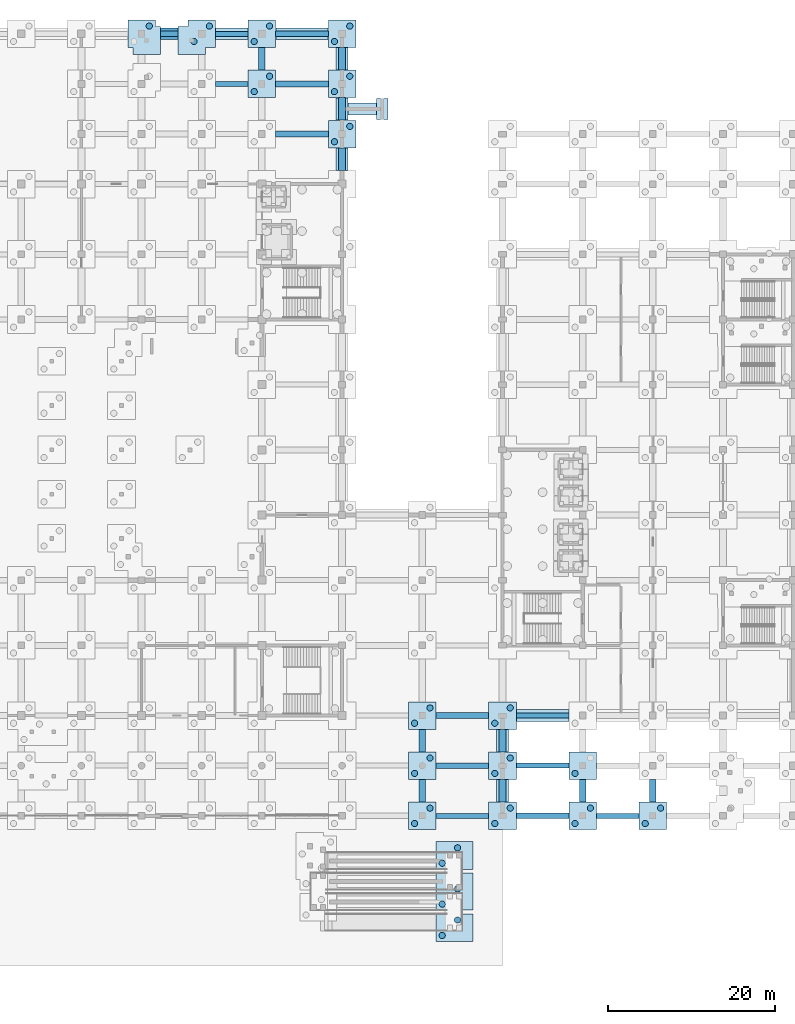
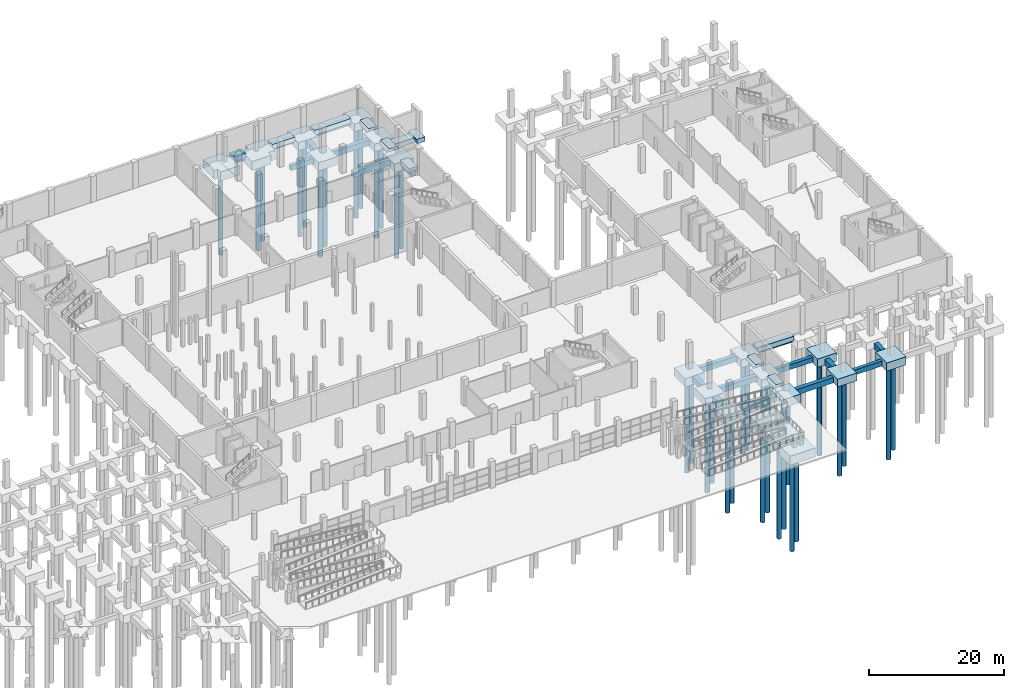
# One storey, part 11 of 42: 53 footings, 36 piles.
"""IFC4 building model written with IfcOpenShell, lengths in metres."""

from ifc_helpers import new_model, si_unit, direction, frame, origin, origin_2d, place, context, subcontext, project, spatial, polyline, rectangle, circle, outline, extrude, material, layer, layer_set, material_profile, profile_set, type_object, element, save


model = new_model("IFC4")

# Units and contexts
model_context = context("Model", 3, precision=1e-05, world=origin(), true_north=direction((0.0, 1.0)))
body_context = subcontext(model_context, "Body", "Model", "MODEL_VIEW")
ifc_project = project(units=[si_unit("LENGTHUNIT", "METRE"), si_unit("AREAUNIT", "SQUARE_METRE"), si_unit("VOLUMEUNIT", "CUBIC_METRE"), si_unit("PLANEANGLEUNIT", "RADIAN"), si_unit("MASSUNIT", "GRAM", prefix="KILO")], contexts=[model_context])

# Site, building, storey
site_placement = place(None, origin())
site = spatial("IfcSite", under=ifc_project, at=site_placement, CompositionType="ELEMENT")
building_placement = place(site_placement, origin())
building = spatial("IfcBuilding", under=site, at=building_placement, Name="Pellamere Symphony Hall", CompositionType="ELEMENT")
storey_placement = place(building_placement, frame((0.0, 0.0, -4.800048828125)))
storey = spatial("IfcBuildingStorey", under=building, at=storey_placement, Name="B1", CompositionType="ELEMENT", Elevation=-4.800048828125)

# Piles
ifc_material_1 = material(Name="Concrete 35 MPa", Category="concrete")
ifc_material_profile_1 = material_profile(ifc_material_1, circle(Radius=0.375, at=origin_2d()), Name="PILE D750")
ifc_profile_set_1 = profile_set([ifc_material_profile_1], Name="Concrete 35 MPa")
pile_type = type_object("IfcPileType", Name="Bored Pile 750mm Concrete 35 MPa", PredefinedType="BORED", material=ifc_profile_set_1)
for number, where, z_axis, x_axis, name in (
    (1, (130.780029296875, 3.679931640625, -1.800048828125), (0.0, 0.0, -1.0), (1.0, 0.0, 0.0), "Bored Pile BP-750-P019"),
    (2, (132.6201171875, 5.52001953125, -1.800048828125), (0.0, 0.0, -1.0), (1.0, 0.0, 0.0), "Bored Pile BP-750-P020"),
    (3, (130.780029296875, 7.429931640625, -1.800048828125), (0.0, 0.0, -1.0), (1.0, 0.0, 0.0), "Bored Pile BP-750-P027"),
    (4, (132.6201171875, 9.27001953125, -1.800048828125), (0.0, 0.0, -1.0), (1.0, 0.0, 0.0), "Bored Pile BP-750-P028"),
    (5, (130.780029296875, 12.330078125, -1.800048828125), (0.0, 0.0, -1.0), (1.0, 0.0, 0.0), "Bored Pile BP-750-P049"),
    (6, (132.6201171875, 14.169921875, -1.800048828125), (0.0, 0.0, -1.0), (1.0, 0.0, 0.0), "Bored Pile BP-750-P050"),
):
    element("IfcPile", number, at=place(storey_placement, frame(where, z_axis=z_axis, x_axis=x_axis)), inside=storey, type_object=pile_type, Name=name, PredefinedType="BORED", context=body_context, shape_type="SweptSolid", body=[
        extrude(circle(Radius=0.375, at=origin_2d()), origin(), (0.0, 0.0, 1.0), 16.199951171875),
    ])
for number, where, z_axis, x_axis, name in (
    (7, (127.47998046875, 17.080078125, -1.75), (0.0, 0.0, -1.0), (1.0, 0.0, 0.0), "Bored Pile BP-750-P083"),
    (8, (129.320068359375, 18.919921875, -1.75), (0.0, 0.0, -1.0), (1.0, 0.0, 0.0), "Bored Pile BP-750-P084"),
):
    element("IfcPile", number, at=place(storey_placement, frame(where, z_axis=z_axis, x_axis=x_axis)), inside=storey, type_object=pile_type, Name=name, PredefinedType="BORED", context=body_context, shape_type="SweptSolid", body=[
        extrude(circle(Radius=0.375, at=origin_2d()), origin(), (0.0, 0.0, 1.0), 16.25),
    ])
for number, where, z_axis, x_axis, name in (
    (9, (137.080078125, 17.080078125, -1.849853515625), (0.0, 0.0, -1.0), (1.0, 0.0, 0.0), "Bored Pile BP-750-P085"),
    (10, (138.919921875, 18.919921875, -1.849853515625), (0.0, 0.0, -1.0), (1.0, 0.0, 0.0), "Bored Pile BP-750-P086"),
):
    element("IfcPile", number, at=place(storey_placement, frame(where, z_axis=z_axis, x_axis=x_axis)), inside=storey, type_object=pile_type, Name=name, PredefinedType="BORED", context=body_context, shape_type="SweptSolid", body=[
        extrude(circle(Radius=0.375, at=origin_2d()), origin(), (0.0, 0.0, 1.0), 16.14990234375),
    ])
for number, where, z_axis, x_axis, name in (
    (11, (146.679931640625, 17.080078125, -1.300048828125), (0.0, 0.0, -1.0), (1.0, 0.0, 0.0), "Bored Pile BP-750-P087"),
    (12, (148.52001953125, 18.919921875, -1.300048828125), (0.0, 0.0, -1.0), (1.0, 0.0, 0.0), "Bored Pile BP-750-P088"),
):
    element("IfcPile", number, at=place(storey_placement, frame(where, z_axis=z_axis, x_axis=x_axis)), inside=storey, type_object=pile_type, Name=name, PredefinedType="BORED", context=body_context, shape_type="SweptSolid", body=[
        extrude(circle(Radius=0.375, at=origin_2d()), origin(), (0.0, 0.0, 1.0), 16.699951171875),
    ])
for number, where, z_axis, x_axis, name in (
    (13, (155.080078125, 17.080078125, -1.39990234375), (0.0, 0.0, -1.0), (1.0, 0.0, 0.0), "Bored Pile BP-750-P089"),
    (14, (156.919921875, 18.919921875, -1.39990234375), (0.0, 0.0, -1.0), (1.0, 0.0, 0.0), "Bored Pile BP-750-P090"),
):
    element("IfcPile", number, at=place(storey_placement, frame(where, z_axis=z_axis, x_axis=x_axis)), inside=storey, type_object=pile_type, Name=name, PredefinedType="BORED", context=body_context, shape_type="SweptSolid", body=[
        extrude(circle(Radius=0.375, at=origin_2d()), origin(), (0.0, 0.0, 1.0), 16.60009765625),
    ])
for number, where, z_axis, x_axis, name in (
    (15, (127.47998046875, 23.080078125, -1.849853515625), (0.0, 0.0, -1.0), (1.0, 0.0, 0.0), "Bored Pile BP-750-P131"),
    (16, (129.320068359375, 24.919921875, -1.849853515625), (0.0, 0.0, -1.0), (1.0, 0.0, 0.0), "Bored Pile BP-750-P132"),
):
    element("IfcPile", number, at=place(storey_placement, frame(where, z_axis=z_axis, x_axis=x_axis)), inside=storey, type_object=pile_type, Name=name, PredefinedType="BORED", context=body_context, shape_type="SweptSolid", body=[
        extrude(circle(Radius=0.375, at=origin_2d()), origin(), (0.0, 0.0, 1.0), 16.14990234375),
    ])
for number, where, z_axis, x_axis, name in (
    (17, (137.080078125, 23.080078125, -1.75), (0.0, 0.0, -1.0), (1.0, 0.0, 0.0), "Bored Pile BP-750-P133"),
    (18, (138.919921875, 24.919921875, -1.75), (0.0, 0.0, -1.0), (1.0, 0.0, 0.0), "Bored Pile BP-750-P134"),
):
    element("IfcPile", number, at=place(storey_placement, frame(where, z_axis=z_axis, x_axis=x_axis)), inside=storey, type_object=pile_type, Name=name, PredefinedType="BORED", context=body_context, shape_type="SweptSolid", body=[
        extrude(circle(Radius=0.375, at=origin_2d()), origin(), (0.0, 0.0, 1.0), 16.25),
    ])
pile_placement = place(storey_placement, frame((146.679931640625, 23.080078125, -1.39990234375), z_axis=(0.0, 0.0, -1.0), x_axis=(1.0, 0.0, 0.0)))
element("IfcPile", 19, at=pile_placement, inside=storey, type_object=pile_type, Name="Bored Pile BP-750-P135", PredefinedType="BORED", context=body_context, shape_type="SweptSolid", body=[
    extrude(circle(Radius=0.375, at=origin_2d()), origin(), (0.0, 0.0, 1.0), 16.60009765625),
])
for number, where, z_axis, x_axis, name in (
    (20, (127.47998046875, 29.080078125, -1.849853515625), (0.0, 0.0, -1.0), (1.0, 0.0, 0.0), "Bored Pile BP-750-P194"),
    (21, (129.320068359375, 30.919921875, -1.849853515625), (0.0, 0.0, -1.0), (1.0, 0.0, 0.0), "Bored Pile BP-750-P195"),
):
    element("IfcPile", number, at=place(storey_placement, frame(where, z_axis=z_axis, x_axis=x_axis)), inside=storey, type_object=pile_type, Name=name, PredefinedType="BORED", context=body_context, shape_type="SweptSolid", body=[
        extrude(circle(Radius=0.375, at=origin_2d()), origin(), (0.0, 0.0, 1.0), 16.14990234375),
    ])
for number, where, z_axis, x_axis, name in (
    (22, (137.080078125, 29.080078125, -1.75), (0.0, 0.0, -1.0), (1.0, 0.0, 0.0), "Bored Pile BP-750-P196"),
    (23, (138.919921875, 30.919921875, -1.75), (0.0, 0.0, -1.0), (1.0, 0.0, 0.0), "Bored Pile BP-750-P197"),
):
    element("IfcPile", number, at=place(storey_placement, frame(where, z_axis=z_axis, x_axis=x_axis)), inside=storey, type_object=pile_type, Name=name, PredefinedType="BORED", context=body_context, shape_type="SweptSolid", body=[
        extrude(circle(Radius=0.375, at=origin_2d()), origin(), (0.0, 0.0, 1.0), 16.25),
    ])
for number, where, z_axis, x_axis, name in (
    (24, (117.8798828125, 98.679931640625, -1.849853515625), (0.0, 0.0, -1.0), (1.0, 0.0, 0.0), "Bored Pile BP-750-P534"),
    (25, (119.719970703125, 100.52001953125, -1.849853515625), (0.0, 0.0, -1.0), (1.0, 0.0, 0.0), "Bored Pile BP-750-P535"),
    (26, (108.280029296875, 104.679931640625, -1.849853515625), (0.0, 0.0, -1.0), (1.0, 0.0, 0.0), "Bored Pile BP-750-P558"),
    (27, (110.1201171875, 106.52001953125, -1.849853515625), (0.0, 0.0, -1.0), (1.0, 0.0, 0.0), "Bored Pile BP-750-P559"),
):
    element("IfcPile", number, at=place(storey_placement, frame(where, z_axis=z_axis, x_axis=x_axis)), inside=storey, type_object=pile_type, Name=name, PredefinedType="BORED", context=body_context, shape_type="SweptSolid", body=[
        extrude(circle(Radius=0.375, at=origin_2d()), origin(), (0.0, 0.0, 1.0), 16.14990234375),
    ])
for number, where, z_axis, x_axis, name in (
    (28, (117.8798828125, 104.679931640625, -1.75), (0.0, 0.0, -1.0), (1.0, 0.0, 0.0), "Bored Pile BP-750-P560"),
    (29, (119.719970703125, 106.52001953125, -1.75), (0.0, 0.0, -1.0), (1.0, 0.0, 0.0), "Bored Pile BP-750-P561"),
):
    element("IfcPile", number, at=place(storey_placement, frame(where, z_axis=z_axis, x_axis=x_axis)), inside=storey, type_object=pile_type, Name=name, PredefinedType="BORED", context=body_context, shape_type="SweptSolid", body=[
        extrude(circle(Radius=0.375, at=origin_2d()), origin(), (0.0, 0.0, 1.0), 16.25),
    ])
for number, where, z_axis, x_axis, name in (
    (30, (95.719970703125, 112.52001953125, -2.0), (0.0, 0.0, -1.0), (1.0, 0.0, 0.0), "Bored Pile BP-750-P563"),
    (31, (101.080078125, 110.679931640625, -2.0), (0.0, 0.0, -1.0), (1.0, 0.0, 0.0), "Bored Pile BP-750-P564"),
    (32, (102.919921875, 112.52001953125, -2.0), (0.0, 0.0, -1.0), (1.0, 0.0, 0.0), "Bored Pile BP-750-P565"),
):
    element("IfcPile", number, at=place(storey_placement, frame(where, z_axis=z_axis, x_axis=x_axis)), inside=storey, type_object=pile_type, Name=name, PredefinedType="BORED", context=body_context, shape_type="SweptSolid", body=[
        extrude(circle(Radius=0.375, at=origin_2d()), origin(), (0.0, 0.0, 1.0), 16.0),
    ])
for number, where, z_axis, x_axis, name in (
    (33, (108.280029296875, 110.679931640625, -1.849853515625), (0.0, 0.0, -1.0), (1.0, 0.0, 0.0), "Bored Pile BP-750-P574"),
    (34, (110.1201171875, 112.52001953125, -1.849853515625), (0.0, 0.0, -1.0), (1.0, 0.0, 0.0), "Bored Pile BP-750-P575"),
):
    element("IfcPile", number, at=place(storey_placement, frame(where, z_axis=z_axis, x_axis=x_axis)), inside=storey, type_object=pile_type, Name=name, PredefinedType="BORED", context=body_context, shape_type="SweptSolid", body=[
        extrude(circle(Radius=0.375, at=origin_2d()), origin(), (0.0, 0.0, 1.0), 16.14990234375),
    ])
for number, where, z_axis, x_axis, name in (
    (35, (117.8798828125, 110.679931640625, -1.75), (0.0, 0.0, -1.0), (1.0, 0.0, 0.0), "Bored Pile BP-750-P576"),
    (36, (119.719970703125, 112.52001953125, -1.75), (0.0, 0.0, -1.0), (1.0, 0.0, 0.0), "Bored Pile BP-750-P577"),
):
    element("IfcPile", number, at=place(storey_placement, frame(where, z_axis=z_axis, x_axis=x_axis)), inside=storey, type_object=pile_type, Name=name, PredefinedType="BORED", context=body_context, shape_type="SweptSolid", body=[
        extrude(circle(Radius=0.375, at=origin_2d()), origin(), (0.0, 0.0, 1.0), 16.25),
    ])

# Footings
ifc_material_2 = material(Name="Concrete 40 MPa", Category="concrete")
ifc_material_profile_2 = material_profile(ifc_material_2, rectangle(XDim=0.60009765625, YDim=0.89990234375, at=origin_2d()), Name="RC 600x900")
ifc_profile_set_2 = profile_set([ifc_material_profile_2], Name="Concrete 40 MPa")
footing_type_1 = type_object("IfcFootingType", Name="Foundation FB-01 600x900", PredefinedType="FOOTING_BEAM", material=ifc_profile_set_2)
footing_1_placement = place(storey_placement, frame((130.052001953125, 18.0, -0.89990234375), z_axis=(1.0, 0.0, 0.0), x_axis=(0.0, 1.0, 0.0)))
element("IfcFooting", 37, at=footing_1_placement, inside=storey, type_object=footing_type_1, Name="Foundation Beam FB-01-082", PredefinedType="FOOTING_BEAM", context=body_context, shape_type="SweptSolid", body=[
    extrude(rectangle(XDim=0.60009765625, YDim=0.89990234375, at=origin_2d()), origin(), (0.0, 0.0, 1.0), 6.2958984375),
])
footing_2_placement = place(storey_placement, frame((149.251953125, 18.0, -0.89990234375), z_axis=(1.0, 0.0, 0.0), x_axis=(0.0, 1.0, 0.0)))
element("IfcFooting", 38, at=footing_2_placement, inside=storey, type_object=footing_type_1, Name="Foundation Beam FB-01-084", PredefinedType="FOOTING_BEAM", context=body_context, shape_type="SweptSolid", body=[
    extrude(rectangle(XDim=0.60009765625, YDim=0.89990234375, at=origin_2d()), origin(), (0.0, 0.0, 1.0), 5.095947265625),
])
for number, where, z_axis, x_axis, name in (
    (39, (139.652099609375, 24.0, -0.89990234375), (1.0, 0.0, 0.0), (0.0, 1.0, 0.0), "Foundation Beam FB-01-100"),
    (40, (139.652099609375, 30.0, -0.89990234375), (1.0, 0.0, 0.0), (0.0, 1.0, 0.0), "Foundation Beam FB-01-116"),
):
    element("IfcFooting", number, at=place(storey_placement, frame(where, z_axis=z_axis, x_axis=x_axis)), inside=storey, type_object=footing_type_1, Name=name, PredefinedType="FOOTING_BEAM", context=body_context, shape_type="SweptSolid", body=[
        extrude(rectangle(XDim=0.60009765625, YDim=0.89990234375, at=origin_2d()), origin(), (0.0, 0.0, 1.0), 6.2958984375),
    ])
for number, where, z_axis, x_axis, name in (
    (41, (103.652099609375, 105.60009765625, -0.89990234375), (1.0, 0.0, 0.0), (0.0, 1.0, 0.0), "Foundation Beam FB-01-220"),
    (42, (103.652099609375, 111.60009765625, -0.89990234375), (1.0, 0.0, 0.0), (0.0, 1.0, 0.0), "Foundation Beam FB-01-228"),
):
    element("IfcFooting", number, at=place(storey_placement, frame(where, z_axis=z_axis, x_axis=x_axis)), inside=storey, type_object=footing_type_1, Name=name, PredefinedType="FOOTING_BEAM", context=body_context, shape_type="SweptSolid", body=[
        extrude(rectangle(XDim=0.60009765625, YDim=0.89990234375, at=origin_2d()), origin(), (0.0, 0.0, 1.0), 3.89599609375),
    ])
ifc_material_profile_3 = material_profile(ifc_material_2, rectangle(XDim=0.699951171875, YDim=1.0, at=origin_2d()), Name="RC 700x1000")
ifc_profile_set_3 = profile_set([ifc_material_profile_3], Name="Concrete 40 MPa")
footing_type_2 = type_object("IfcFootingType", Name="Foundation FB-02 700x1000", PredefinedType="FOOTING_BEAM", material=ifc_profile_set_3)
for number, where, z_axis, x_axis, name in (
    (43, (139.652099609375, 18.0, -0.949951171875), (1.0, 0.0, 0.0), (0.0, 1.0, 0.0), "Foundation Beam FB-02-083"),
    (44, (130.052001953125, 24.0, -0.949951171875), (1.0, 0.0, 0.0), (0.0, 1.0, 0.0), "Foundation Beam FB-02-099"),
    (45, (130.052001953125, 30.0, -0.949951171875), (1.0, 0.0, 0.0), (0.0, 1.0, 0.0), "Foundation Beam FB-02-115"),
    (46, (110.85205078125, 99.60009765625, -0.949951171875), (1.0, 0.0, 0.0), (0.0, 1.0, 0.0), "Foundation Beam FB-02-213"),
    (47, (110.85205078125, 105.60009765625, -0.949951171875), (1.0, 0.0, 0.0), (0.0, 1.0, 0.0), "Foundation Beam FB-02-221"),
):
    element("IfcFooting", number, at=place(storey_placement, frame(where, z_axis=z_axis, x_axis=x_axis)), inside=storey, type_object=footing_type_2, Name=name, PredefinedType="FOOTING_BEAM", context=body_context, shape_type="SweptSolid", body=[
        extrude(rectangle(XDim=0.699951171875, YDim=1.0, at=origin_2d()), origin(), (0.0, 0.0, 1.0), 6.2958984375),
    ])
footing_3_placement = place(storey_placement, frame((97.052001953125, 111.60009765625, -0.949951171875), z_axis=(1.0, 0.0, 0.0), x_axis=(0.0, 1.0, 0.0)))
element("IfcFooting", 48, at=footing_3_placement, inside=storey, type_object=footing_type_2, Name="Foundation Beam FB-02-227", PredefinedType="FOOTING_BEAM", context=body_context, shape_type="SweptSolid", body=[
    extrude(rectangle(XDim=0.699951171875, YDim=1.0, at=origin_2d()), origin(), (0.0, 0.0, 1.0), 2.095947265625),
])
footing_4_placement = place(storey_placement, frame((110.85205078125, 111.60009765625, -0.949951171875), z_axis=(1.0, 0.0, 0.0), x_axis=(0.0, 1.0, 0.0)))
element("IfcFooting", 49, at=footing_4_placement, inside=storey, type_object=footing_type_2, Name="Foundation Beam FB-02-229", PredefinedType="FOOTING_BEAM", context=body_context, shape_type="SweptSolid", body=[
    extrude(rectangle(XDim=0.699951171875, YDim=1.0, at=origin_2d()), origin(), (0.0, 0.0, 1.0), 6.2958984375),
])
ifc_material_profile_4 = material_profile(ifc_material_2, rectangle(XDim=0.800048828125, YDim=1.10009765625, at=origin_2d()), Name="RC 800x1100")
ifc_profile_set_4 = profile_set([ifc_material_profile_4], Name="Concrete 40 MPa")
footing_type_3 = type_object("IfcFootingType", Name="Foundation FB-03 800x1100", PredefinedType="FOOTING_BEAM", material=ifc_profile_set_4)
for number, where, z_axis, x_axis, name in (
    (50, (109.199951171875, 107.251953125, -1.0), (0.0, 1.0, 0.0), (-1.0, 0.0, 0.0), "Foundation Beam FB-03-336"),
    (51, (118.800048828125, 95.251953125, -1.0), (0.0, 1.0, 0.0), (-1.0, 0.0, 0.0), "Foundation Beam FB-03-344"),
    (52, (118.800048828125, 101.251953125, -1.0), (0.0, 1.0, 0.0), (-1.0, 0.0, 0.0), "Foundation Beam FB-03-345"),
    (53, (118.800048828125, 107.251953125, -1.0), (0.0, 1.0, 0.0), (-1.0, 0.0, 0.0), "Foundation Beam FB-03-346"),
):
    element("IfcFooting", number, at=place(storey_placement, frame(where, z_axis=z_axis, x_axis=x_axis)), inside=storey, type_object=footing_type_3, Name=name, PredefinedType="FOOTING_BEAM", context=body_context, shape_type="SweptSolid", body=[
        extrude(rectangle(XDim=0.800048828125, YDim=1.10009765625, at=origin_2d()), origin(), (0.0, 0.0, 1.0), 2.696044921875),
    ])
for number, where, z_axis, x_axis, name in (
    (54, (128.39990234375, 19.652099609375, -1.0), (0.0, 1.0, 0.0), (-1.0, 0.0, 0.0), "Foundation Beam FB-03-347"),
    (55, (128.39990234375, 25.652099609375, -1.0), (0.0, 1.0, 0.0), (-1.0, 0.0, 0.0), "Foundation Beam FB-03-348"),
    (56, (138.0, 19.652099609375, -1.0), (0.0, 1.0, 0.0), (-1.0, 0.0, 0.0), "Foundation Beam FB-03-352"),
    (57, (138.0, 25.652099609375, -1.0), (0.0, 1.0, 0.0), (-1.0, 0.0, 0.0), "Foundation Beam FB-03-353"),
    (58, (147.60009765625, 19.652099609375, -1.0), (0.0, 1.0, 0.0), (-1.0, 0.0, 0.0), "Foundation Beam FB-03-360"),
    (59, (156.0, 19.652099609375, -1.0), (0.0, 1.0, 0.0), (-1.0, 0.0, 0.0), "Foundation Beam FB-03-368"),
):
    element("IfcFooting", number, at=place(storey_placement, frame(where, z_axis=z_axis, x_axis=x_axis)), inside=storey, type_object=footing_type_3, Name=name, PredefinedType="FOOTING_BEAM", context=body_context, shape_type="SweptSolid", body=[
        extrude(rectangle(XDim=0.800048828125, YDim=1.10009765625, at=origin_2d()), origin(), (0.0, 0.0, 1.0), 2.69580078125),
    ])
ifc_material_profile_5 = material_profile(ifc_material_2, rectangle(XDim=1.39990234375, YDim=0.85009765625, at=origin_2d()), Name="RC 1400x850")
ifc_profile_set_5 = profile_set([ifc_material_profile_5], Name="Concrete 40 MPa")
footing_type_4 = type_object("IfcFootingType", Name="Foundation SF-02 1400x850", PredefinedType="STRIP_FOOTING", material=ifc_profile_set_5)
footing_5_placement = place(storey_placement, frame((97.06494140625, 111.60009765625, -0.425048828125), z_axis=(1.0, 0.0, 0.0), x_axis=(0.0, 1.0, 0.0)))
element("IfcFooting", 60, at=footing_5_placement, inside=storey, type_object=footing_type_4, Name="Foundation Beam SF-02-015", PredefinedType="STRIP_FOOTING", context=body_context, shape_type="SweptSolid", body=[
    extrude(rectangle(XDim=1.39990234375, YDim=0.85009765625, at=origin_2d()), origin(), (0.0, 0.0, 1.0), 2.070068359375),
])
footing_6_placement = place(storey_placement, frame((103.6650390625, 111.60009765625, -0.425048828125), z_axis=(1.0, 0.0, 0.0), x_axis=(0.0, 1.0, 0.0)))
element("IfcFooting", 61, at=footing_6_placement, inside=storey, type_object=footing_type_4, Name="Foundation Beam SF-02-016", PredefinedType="STRIP_FOOTING", context=body_context, shape_type="SweptSolid", body=[
    extrude(rectangle(XDim=1.39990234375, YDim=0.85009765625, at=origin_2d()), origin(), (0.0, 0.0, 1.0), 3.869873046875),
])
footing_7_placement = place(storey_placement, frame((110.864990234375, 111.60009765625, -0.425048828125), z_axis=(1.0, 0.0, 0.0), x_axis=(0.0, 1.0, 0.0)))
element("IfcFooting", 62, at=footing_7_placement, inside=storey, type_object=footing_type_4, Name="Foundation Beam SF-02-017", PredefinedType="STRIP_FOOTING", context=body_context, shape_type="SweptSolid", body=[
    extrude(rectangle(XDim=1.39990234375, YDim=0.85009765625, at=origin_2d()), origin(), (0.0, 0.0, 1.0), 6.27001953125),
])
for number, where, z_axis, x_axis, name in (
    (63, (118.800048828125, 109.93505859375, -0.425048828125), (0.0, -1.0, 0.0), (1.0, 0.0, 0.0), "Foundation Beam SF-02-018"),
    (64, (118.800048828125, 103.93505859375, -0.425048828125), (0.0, -1.0, 0.0), (1.0, 0.0, 0.0), "Foundation Beam SF-02-019"),
    (65, (118.800048828125, 97.93505859375, -0.425048828125), (0.0, -1.0, 0.0), (1.0, 0.0, 0.0), "Foundation Beam SF-02-020"),
):
    element("IfcFooting", number, at=place(storey_placement, frame(where, z_axis=z_axis, x_axis=x_axis)), inside=storey, type_object=footing_type_4, Name=name, PredefinedType="STRIP_FOOTING", context=body_context, shape_type="SweptSolid", body=[
        extrude(rectangle(XDim=1.39990234375, YDim=0.85009765625, at=origin_2d()), origin(), (0.0, 0.0, 1.0), 2.670166015625),
    ])
footing_8_placement = place(storey_placement, frame((145.93505859375, 30.0, -0.425048828125), z_axis=(-1.0, 0.0, 0.0), x_axis=(0.0, -1.0, 0.0)))
element("IfcFooting", 66, at=footing_8_placement, inside=storey, type_object=footing_type_4, Name="Foundation Beam SF-02-039", PredefinedType="STRIP_FOOTING", context=body_context, shape_type="SweptSolid", body=[
    extrude(rectangle(XDim=1.39990234375, YDim=0.85009765625, at=origin_2d()), origin(), (0.0, 0.0, 1.0), 6.27001953125),
])
for number, where, z_axis, x_axis, name in (
    (67, (138.0, 28.3349609375, -0.425048828125), (0.0, -1.0, 0.0), (1.0, 0.0, 0.0), "Foundation Beam SF-02-040"),
    (68, (138.0, 22.3349609375, -0.425048828125), (0.0, -1.0, 0.0), (1.0, 0.0, 0.0), "Foundation Beam SF-02-041"),
):
    element("IfcFooting", number, at=place(storey_placement, frame(where, z_axis=z_axis, x_axis=x_axis)), inside=storey, type_object=footing_type_4, Name=name, PredefinedType="STRIP_FOOTING", context=body_context, shape_type="SweptSolid", body=[
        extrude(rectangle(XDim=1.39990234375, YDim=0.85009765625, at=origin_2d()), origin(), (0.0, 0.0, 1.0), 2.669921875),
    ])
footing_9_placement = place(storey_placement, frame((123.60009765625, 101.324951171875, -0.425048828125), z_axis=(0.0, 1.0, 0.0), x_axis=(-1.0, 0.0, 0.0)))
element("IfcFooting", 69, at=footing_9_placement, inside=storey, type_object=footing_type_4, Name="Foundation Beam SF-02-050", PredefinedType="STRIP_FOOTING", context=body_context, shape_type="SweptSolid", body=[
    extrude(rectangle(XDim=1.39990234375, YDim=0.85009765625, at=origin_2d()), origin(), (0.0, 0.0, 1.0), 2.550048828125),
])
footing_10_placement = place(storey_placement, frame((118.800048828125, 102.60009765625, -0.425048828125), z_axis=(1.0, 0.0, 0.0), x_axis=(0.0, 1.0, 0.0)))
element("IfcFooting", 70, at=footing_10_placement, inside=storey, type_object=footing_type_4, Name="Foundation Beam SF-02-055", PredefinedType="STRIP_FOOTING", context=body_context, shape_type="SweptSolid", body=[
    extrude(rectangle(XDim=1.39990234375, YDim=0.85009765625, at=origin_2d()), origin(), (0.0, 0.0, 1.0), 4.800048828125),
])
ifc_layer_1 = layer(ifc_material_2, 1.39990234375, Name="Concrete 40 MPa")
ifc_layer_set_1 = layer_set([ifc_layer_1], Name="Concrete 40 MPa")
footing_type_5 = type_object("IfcFootingType", Name="Pile Cap PC-02 3300x3300x1400", PredefinedType="PILE_CAP", material=ifc_layer_set_1)
footing_11_placement = place(storey_placement, frame((0.0, 0.0, -1.849853515625)))
element("IfcFooting", 71, at=footing_11_placement, inside=storey, type_object=footing_type_5, Name="Pile Cap PC-02-038", PredefinedType="PILE_CAP", context=body_context, shape_type="SweptSolid", body=[
    extrude(outline(polyline([(126.75, 16.35009765625), (126.75, 19.64990234375), (130.050048828125, 19.64990234375), (130.050048828125, 16.35009765625), (126.75, 16.35009765625)])), origin(), (0.0, 0.0, 1.0), 1.39990234375),
])
footing_12_placement = place(storey_placement, frame((0.0, 0.0, -1.39990234375)))
element("IfcFooting", 72, at=footing_12_placement, inside=storey, type_object=footing_type_5, Name="Pile Cap PC-02-040", PredefinedType="PILE_CAP", context=body_context, shape_type="SweptSolid", body=[
    extrude(outline(polyline([(149.25, 16.35009765625), (145.949951171875, 16.35009765625), (145.949951171875, 19.64990234375), (149.25, 19.64990234375), (149.25, 16.35009765625)])), origin(), (0.0, 0.0, 1.0), 1.39990234375),
])
footing_13_placement = place(storey_placement, frame((0.0, 0.0, -1.849853515625)))
element("IfcFooting", 73, at=footing_13_placement, inside=storey, type_object=footing_type_5, Name="Pile Cap PC-02-060", PredefinedType="PILE_CAP", context=body_context, shape_type="SweptSolid", body=[
    extrude(outline(polyline([(139.64990234375, 22.35009765625), (136.35009765625, 22.35009765625), (136.35009765625, 25.64990234375), (139.64990234375, 25.64990234375), (139.64990234375, 22.35009765625)])), origin(), (0.0, 0.0, 1.0), 1.39990234375),
])
footing_14_placement = place(storey_placement, frame((0.0, 0.0, -1.849853515625)))
element("IfcFooting", 74, at=footing_14_placement, inside=storey, type_object=footing_type_5, Name="Pile Cap PC-02-078", PredefinedType="PILE_CAP", context=body_context, shape_type="SweptSolid", body=[
    extrude(outline(polyline([(136.35009765625, 28.35009765625), (136.35009765625, 31.64990234375), (139.64990234375, 31.64990234375), (139.64990234375, 28.35009765625), (136.35009765625, 28.35009765625)])), origin(), (0.0, 0.0, 1.0), 1.39990234375),
])
footing_15_placement = place(storey_placement, frame((0.0, 0.0, -1.849853515625)))
element("IfcFooting", 75, at=footing_15_placement, inside=storey, type_object=footing_type_5, Name="Pile Cap PC-02-206", PredefinedType="PILE_CAP", context=body_context, shape_type="SweptSolid", body=[
    extrude(outline(polyline([(120.449951171875, 103.949951171875), (117.14990234375, 103.949951171875), (117.14990234375, 107.25), (120.449951171875, 107.25), (120.449951171875, 103.949951171875)])), origin(), (0.0, 0.0, 1.0), 1.39990234375),
])
footing_16_placement = place(storey_placement, frame((0.0, 0.0, -1.849853515625)))
element("IfcFooting", 76, at=footing_16_placement, inside=storey, type_object=footing_type_5, Name="Pile Cap PC-02-214", PredefinedType="PILE_CAP", context=body_context, shape_type="SweptSolid", body=[
    extrude(outline(polyline([(117.14990234375, 109.949951171875), (117.14990234375, 113.25), (120.449951171875, 113.25), (120.449951171875, 109.949951171875), (117.14990234375, 109.949951171875)])), origin(), (0.0, 0.0, 1.0), 1.39990234375),
])
ifc_layer_2 = layer(ifc_material_2, 1.5, Name="Concrete 40 MPa")
ifc_layer_set_2 = layer_set([ifc_layer_2], Name="Concrete 40 MPa")
footing_type_6 = type_object("IfcFootingType", Name="Pile Cap PC-03 3300x3300x1500", PredefinedType="PILE_CAP", material=ifc_layer_set_2)
footing_17_placement = place(storey_placement, frame((0.0, 0.0, -1.949951171875)))
element("IfcFooting", 77, at=footing_17_placement, inside=storey, type_object=footing_type_6, Name="Pile Cap PC-03-039", PredefinedType="PILE_CAP", context=body_context, shape_type="SweptSolid", body=[
    extrude(outline(polyline([(136.35009765625, 16.35009765625), (136.35009765625, 19.64990234375), (139.64990234375, 19.64990234375), (139.64990234375, 16.35009765625), (136.35009765625, 16.35009765625)])), origin(), (0.0, 0.0, 1.0), 1.5),
])
footing_18_placement = place(storey_placement, frame((0.0, 0.0, -1.5)))
element("IfcFooting", 78, at=footing_18_placement, inside=storey, type_object=footing_type_6, Name="Pile Cap PC-03-041", PredefinedType="PILE_CAP", context=body_context, shape_type="SweptSolid", body=[
    extrude(outline(polyline([(154.35009765625, 16.35009765625), (154.35009765625, 19.64990234375), (157.64990234375, 19.64990234375), (157.64990234375, 16.35009765625), (154.35009765625, 16.35009765625)])), origin(), (0.0, 0.0, 1.0), 1.5),
])
footing_19_placement = place(storey_placement, frame((0.0, 0.0, -1.949951171875)))
element("IfcFooting", 79, at=footing_19_placement, inside=storey, type_object=footing_type_6, Name="Pile Cap PC-03-059", PredefinedType="PILE_CAP", context=body_context, shape_type="SweptSolid", body=[
    extrude(outline(polyline([(130.050048828125, 22.35009765625), (126.75, 22.35009765625), (126.75, 25.64990234375), (130.050048828125, 25.64990234375), (130.050048828125, 22.35009765625)])), origin(), (0.0, 0.0, 1.0), 1.5),
])
footing_20_placement = place(storey_placement, frame((0.0, 0.0, -1.5)))
element("IfcFooting", 80, at=footing_20_placement, inside=storey, type_object=footing_type_6, Name="Pile Cap PC-03-061", PredefinedType="PILE_CAP", context=body_context, shape_type="SweptSolid", body=[
    extrude(outline(polyline([(145.949951171875, 22.35009765625), (145.949951171875, 25.64990234375), (149.25, 25.64990234375), (149.25, 22.35009765625), (145.949951171875, 22.35009765625)])), origin(), (0.0, 0.0, 1.0), 1.5),
])
footing_21_placement = place(storey_placement, frame((0.0, 0.0, -1.949951171875)))
element("IfcFooting", 81, at=footing_21_placement, inside=storey, type_object=footing_type_6, Name="Pile Cap PC-03-077", PredefinedType="PILE_CAP", context=body_context, shape_type="SweptSolid", body=[
    extrude(outline(polyline([(130.050048828125, 28.35009765625), (126.75, 28.35009765625), (126.75, 31.64990234375), (130.050048828125, 31.64990234375), (130.050048828125, 28.35009765625)])), origin(), (0.0, 0.0, 1.0), 1.5),
])
footing_22_placement = place(storey_placement, frame((0.0, 0.0, -1.949951171875)))
element("IfcFooting", 82, at=footing_22_placement, inside=storey, type_object=footing_type_6, Name="Pile Cap PC-03-195", PredefinedType="PILE_CAP", context=body_context, shape_type="SweptSolid", body=[
    extrude(outline(polyline([(117.14990234375, 97.949951171875), (117.14990234375, 101.25), (120.449951171875, 101.25), (120.449951171875, 97.949951171875), (117.14990234375, 97.949951171875)])), origin(), (0.0, 0.0, 1.0), 1.5),
])
footing_23_placement = place(storey_placement, frame((0.0, 0.0, -1.949951171875)))
element("IfcFooting", 83, at=footing_23_placement, inside=storey, type_object=footing_type_6, Name="Pile Cap PC-03-205", PredefinedType="PILE_CAP", context=body_context, shape_type="SweptSolid", body=[
    extrude(outline(polyline([(107.550048828125, 103.949951171875), (107.550048828125, 107.25), (110.85009765625, 107.25), (110.85009765625, 103.949951171875), (107.550048828125, 103.949951171875)])), origin(), (0.0, 0.0, 1.0), 1.5),
])
footing_24_placement = place(storey_placement, frame((0.0, 0.0, -1.949951171875)))
element("IfcFooting", 84, at=footing_24_placement, inside=storey, type_object=footing_type_6, Name="Pile Cap PC-03-213", PredefinedType="PILE_CAP", context=body_context, shape_type="SweptSolid", body=[
    extrude(outline(polyline([(107.550048828125, 109.949951171875), (107.550048828125, 113.25), (110.85009765625, 113.25), (110.85009765625, 109.949951171875), (107.550048828125, 109.949951171875)])), origin(), (0.0, 0.0, 1.0), 1.5),
])
ifc_layer_3 = layer(ifc_material_2, 1.64990234375, Name="Concrete 40 MPa")
ifc_layer_set_3 = layer_set([ifc_layer_3], Name="Concrete 40 MPa")
footing_type_7 = type_object("IfcFootingType", Name="Pile Cap PC-05 4400x3300x1650", PredefinedType="PILE_CAP", material=ifc_layer_set_3)
footing_25_placement = place(storey_placement, frame((0.0, 0.0, -1.89990234375)))
element("IfcFooting", 85, at=footing_25_placement, inside=storey, type_object=footing_type_7, Name="Pile Cap PC-05-008", PredefinedType="PILE_CAP", context=body_context, shape_type="SweptSolid", body=[
    extrude(outline(polyline([(130.050048828125, 2.949951171875), (130.050048828125, 6.25), (134.449951171875, 6.25), (134.449951171875, 2.949951171875), (130.050048828125, 2.949951171875)])), origin(), (0.0, 0.0, 1.0), 1.64990234375),
])
footing_26_placement = place(storey_placement, frame((0.0, 0.0, -1.89990234375)))
element("IfcFooting", 86, at=footing_26_placement, inside=storey, type_object=footing_type_7, Name="Pile Cap PC-05-012", PredefinedType="PILE_CAP", context=body_context, shape_type="SweptSolid", body=[
    extrude(outline(polyline([(134.449951171875, 11.14990234375), (134.449951171875, 6.699951171875), (130.050048828125, 6.699951171875), (130.050048828125, 11.14990234375), (134.449951171875, 11.14990234375)])), origin(), (0.0, 0.0, 1.0), 1.64990234375),
])
footing_27_placement = place(storey_placement, frame((0.0, 0.0, -1.89990234375)))
element("IfcFooting", 87, at=footing_27_placement, inside=storey, type_object=footing_type_7, Name="Pile Cap PC-05-021", PredefinedType="PILE_CAP", context=body_context, shape_type="SweptSolid", body=[
    extrude(outline(polyline([(130.050048828125, 11.60009765625), (130.050048828125, 14.89990234375), (134.449951171875, 14.89990234375), (134.449951171875, 11.60009765625), (130.050048828125, 11.60009765625)])), origin(), (0.0, 0.0, 1.0), 1.64990234375),
])
footing_28_placement = place(storey_placement, frame((0.0, 0.0, -2.099853515625)))
element("IfcFooting", 88, at=footing_28_placement, inside=storey, type_object=footing_type_7, Name="Pile Cap PC-05-207", PredefinedType="PILE_CAP", context=body_context, shape_type="SweptSolid", body=[
    extrude(outline(polyline([(93.14990234375, 113.25), (96.449951171875, 113.25), (96.449951171875, 112.449951171875), (97.050048828125, 112.449951171875), (97.050048828125, 109.14990234375), (93.75, 109.14990234375), (93.75, 109.949951171875), (93.14990234375, 109.949951171875), (93.14990234375, 113.25)])), origin(), (0.0, 0.0, 1.0), 1.64990234375),
])
footing_29_placement = place(storey_placement, frame((0.0, 0.0, -2.099853515625)))
element("IfcFooting", 89, at=footing_29_placement, inside=storey, type_object=footing_type_7, Name="Pile Cap PC-05-208", PredefinedType="PILE_CAP", context=body_context, shape_type="SweptSolid", body=[
    extrude(outline(polyline([(99.14990234375, 109.14990234375), (99.14990234375, 112.449951171875), (100.35009765625, 112.449951171875), (100.35009765625, 113.25), (103.64990234375, 113.25), (103.64990234375, 109.949951171875), (102.449951171875, 109.949951171875), (102.449951171875, 109.14990234375), (99.14990234375, 109.14990234375)])), origin(), (0.0, 0.0, 1.0), 1.64990234375),
])

save(model, "model.ifc")
